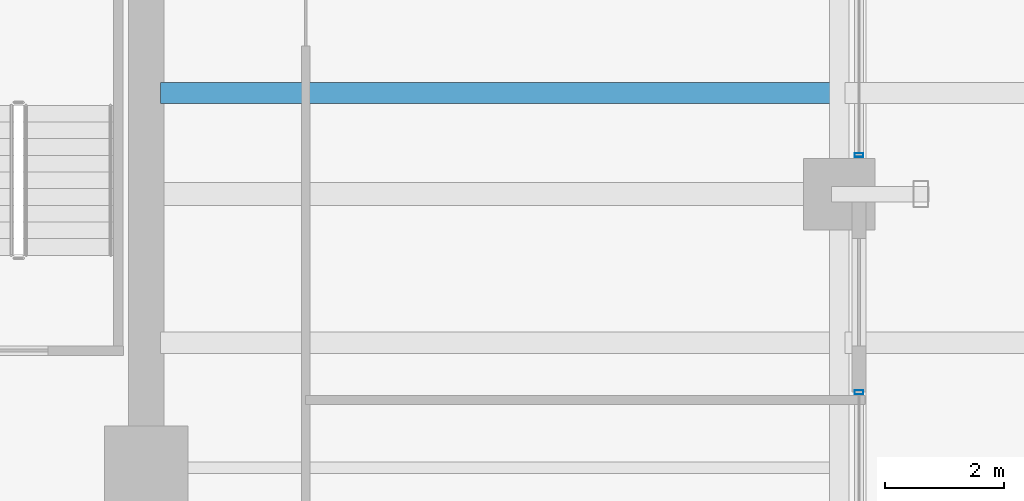
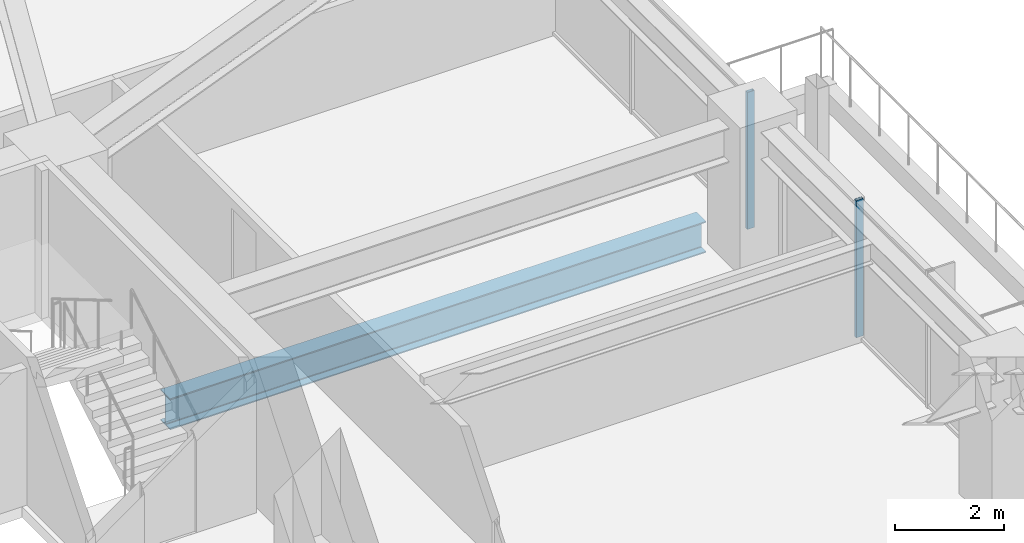
# One storey, part 17 of 38: 2 members, 1 beam, 2 elements without a shape of their own.
"""IFC4 building model written with IfcOpenShell, lengths in metres."""

from ifc_helpers import new_model, si_unit, direction, frame, origin, origin_2d, place, context, subcontext, project, spatial, hollow_rectangle, i_section, extrude, material, material_profile, profile_set, type_object, element, aggregate, save


model = new_model("IFC4")

# Units and contexts
model_context = context("Model", 3, precision=1e-05, world=origin(), true_north=direction((0.0, 1.0)))
body_context = subcontext(model_context, "Body", "Model", "MODEL_VIEW")
ifc_project = project(units=[si_unit("LENGTHUNIT", "METRE"), si_unit("AREAUNIT", "SQUARE_METRE"), si_unit("VOLUMEUNIT", "CUBIC_METRE"), si_unit("PLANEANGLEUNIT", "RADIAN"), si_unit("MASSUNIT", "GRAM", prefix="KILO")], contexts=[model_context])

# Site, building, storey
site_placement = place(None, origin())
site = spatial("IfcSite", under=ifc_project, at=site_placement, CompositionType="ELEMENT")
building_placement = place(site_placement, origin())
building = spatial("IfcBuilding", under=site, at=building_placement, Name="Kolvaren Belvedere", CompositionType="ELEMENT")
storey_placement = place(building_placement, frame((0.0, 0.0, 53.5)))
storey = spatial("IfcBuildingStorey", under=building, at=storey_placement, Name="L15", CompositionType="ELEMENT", Elevation=53.5)

# Beam
ifc_material_1 = material(Name="Structural steel ASTM A992 Grade 50", Category="steel")
ifc_material_profile_1 = material_profile(ifc_material_1, i_section(OverallWidth=0.35498046875, OverallDepth=0.696044921875, WebThickness=0.015380859375, FlangeThickness=0.02490234375, FilletRadius=0.02197265625, at=origin_2d()), Name="W27X146")
ifc_profile_set_1 = profile_set([ifc_material_profile_1], Name="Structural steel ASTM A992 Grade 50")
beam_type = type_object("IfcBeamType", Name="BM-GIRD-W27X146", PredefinedType="BEAM", material=ifc_profile_set_1)
beam_placement = place(storey_placement, frame((10.139892578125, 6.300048828125, -0.587890625), z_axis=(1.0, 0.0, 0.0), x_axis=(0.0, 1.0, 0.0)))
element("IfcBeam", 1, at=beam_placement, inside=storey, type_object=beam_type, Name="L15 Balcony Interior Back-Span Girder SPIRAL-02-E-2", PredefinedType="BEAM", context=body_context, shape_type="SweptSolid", body=[
    extrude(i_section(OverallWidth=0.35498046875, OverallDepth=0.696044921875, WebThickness=0.015380859375, FlangeThickness=0.02490234375, FilletRadius=0.02197265625, at=origin_2d()), origin(), (0.0, 0.0, 1.0), 11.315185546875),
])

# Curtain wall, member
ifc_material_2 = material(Name="Anodised pale-metal aluminium AA 6063-T6", Category="aluminium")
curtain_wall_type = type_object("IfcCurtainWallType", Name="CW-Z1-LOW", PredefinedType="NOTDEFINED", material=ifc_material_2)
curtain_wall_1_placement = place(storey_placement, origin())
curtain_wall_1 = element("IfcCurtainWall", 2, at=curtain_wall_1_placement, inside=storey, type_object=curtain_wall_type, Name="L15 Unitised Curtain Wall FCW-L15-E1", PredefinedType="NOTDEFINED")
ifc_material_3 = material(Name="Anodised pale-metal aluminium AA 6063-T6", Category="aluminium")
ifc_material_profile_2 = material_profile(ifc_material_3, hollow_rectangle(XDim=0.070068359375, YDim=0.14990234375, WallThickness=0.004150390625, at=origin_2d()), Name="ALU-MUL-150X70")
ifc_profile_set_2 = profile_set([ifc_material_profile_2], Name="Anodised pale-metal aluminium AA 6063-T6")
member_type = type_object("IfcMemberType", Name="CW-MUL-150", PredefinedType="MULLION", material=ifc_profile_set_2)
member_1_placement = place(storey_placement, frame((21.8798828125, 5.2548828125, 0.0), z_axis=(0.0, 0.0, 1.0), x_axis=(0.0, 1.0, 0.0)))
member_1 = element("IfcMember", 3, at=member_1_placement, type_object=member_type, Name="FCW-L15-E1 Unitised Mullion 3", PredefinedType="MULLION", context=body_context, shape_type="SweptSolid", body=[
    extrude(hollow_rectangle(XDim=0.070068359375, YDim=0.14990234375, WallThickness=0.004150390625, at=origin_2d()), origin(), (0.0, 0.0, 1.0), 3.06005859375),
])
aggregate(curtain_wall_1, [member_1])

curtain_wall_2_placement = place(storey_placement, origin())
curtain_wall_2 = element("IfcCurtainWall", 4, at=curtain_wall_2_placement, inside=storey, type_object=curtain_wall_type, Name="L15 Unitised Curtain Wall FCW-L15-E2-B1", PredefinedType="NOTDEFINED")
member_2_placement = place(storey_placement, frame((21.8798828125, 1.27001953125, 0.0), z_axis=(0.0, 0.0, 1.0), x_axis=(0.0, 1.0, 0.0)))
member_2 = element("IfcMember", 5, at=member_2_placement, type_object=member_type, Name="FCW-L15-E2-B1 Unitised Mullion 1", PredefinedType="MULLION", context=body_context, shape_type="SweptSolid", body=[
    extrude(hollow_rectangle(XDim=0.070068359375, YDim=0.14990234375, WallThickness=0.004150390625, at=origin_2d()), origin(), (0.0, 0.0, 1.0), 3.06005859375),
])
aggregate(curtain_wall_2, [member_2])

save(model, "model.ifc")
